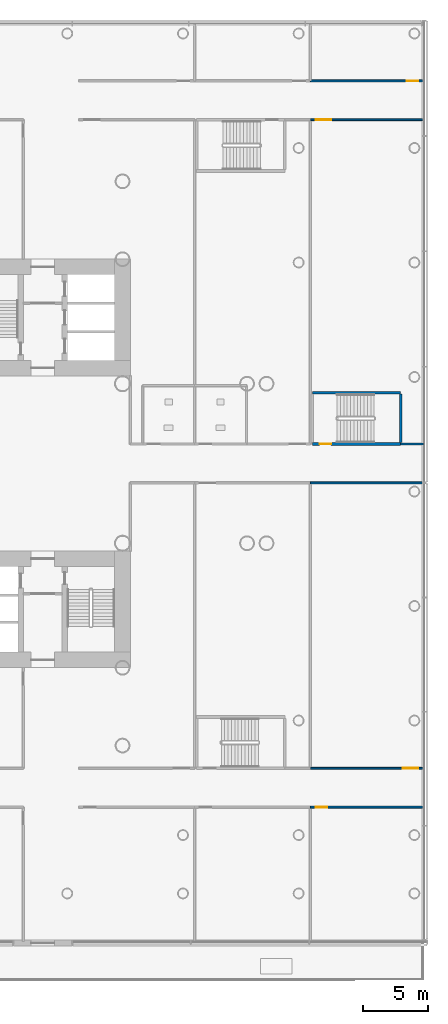
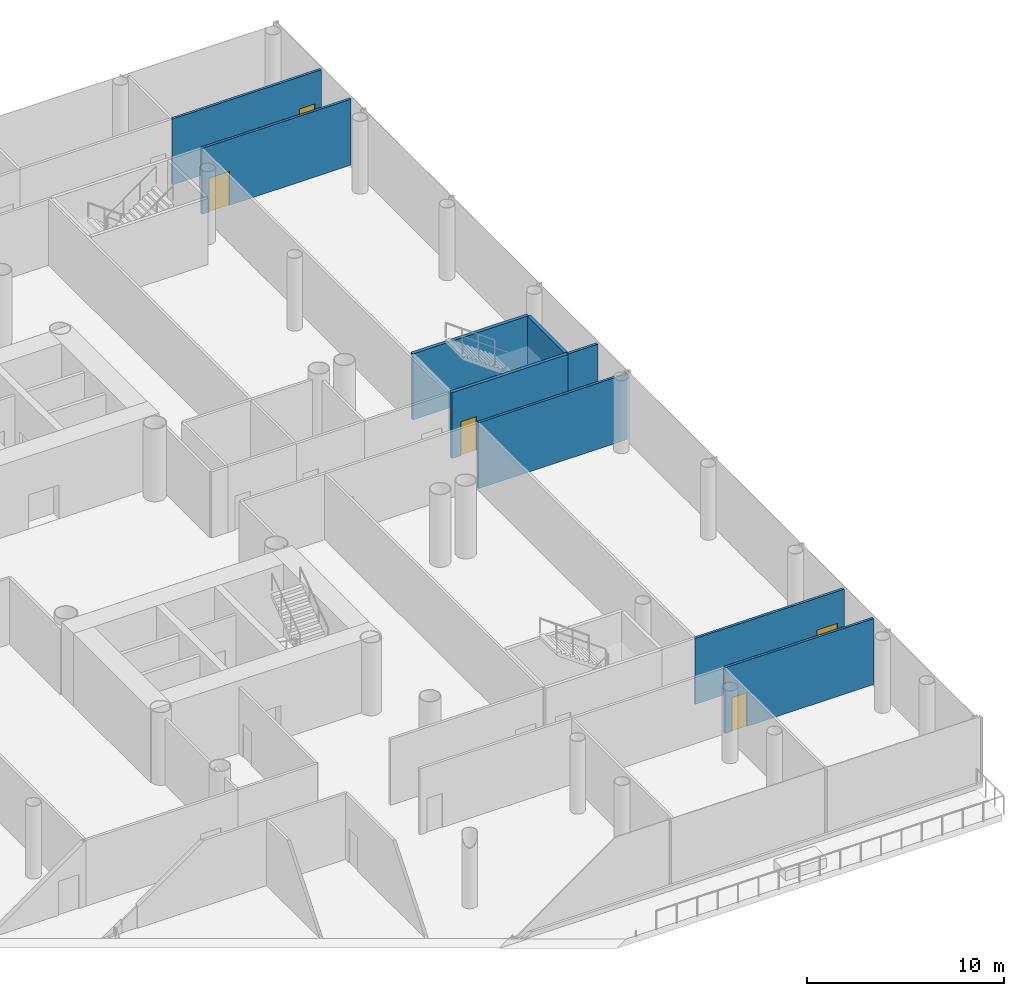
# One storey, part 25 of 49: 9 walls, 5 doors, 5 openings.
"""IFC4 building model written with IfcOpenShell, lengths in metres."""

from ifc_helpers import new_model, si_unit, direction, frame, frame_2d, origin, place, context, subcontext, project, spatial, rectangle, extrude, material, layer, layer_set, type_object, element, fill, save


model = new_model("IFC4")

# Units and contexts
model_context = context("Model", 3, precision=1e-05, world=origin(), true_north=direction((0.0, 1.0)))
body_context = subcontext(model_context, "Body", "Model", "MODEL_VIEW")
ifc_project = project(units=[si_unit("LENGTHUNIT", "METRE"), si_unit("AREAUNIT", "SQUARE_METRE"), si_unit("VOLUMEUNIT", "CUBIC_METRE"), si_unit("PLANEANGLEUNIT", "RADIAN"), si_unit("MASSUNIT", "GRAM", prefix="KILO")], contexts=[model_context])

# Site, building, storey
site_placement = place(None, origin())
site = spatial("IfcSite", under=ifc_project, at=site_placement, CompositionType="ELEMENT")
building_placement = place(site_placement, origin())
building = spatial("IfcBuilding", under=site, at=building_placement, Name="Ipe Terrace Towers", CompositionType="ELEMENT")
storey_placement = place(building_placement, frame((0.0, 0.0, 11.0)))
storey = spatial("IfcBuildingStorey", under=building, at=storey_placement, Name="L02", CompositionType="ELEMENT", Elevation=11.0)

# Wall, opening, door
ifc_material_1 = material(Name="Gypsum board partition", Category="plasterboard")
ifc_layer_1 = layer(ifc_material_1, 0.14990234375)
ifc_layer_set_1 = layer_set([ifc_layer_1], Name="Gypsum board partition 150 mm")
wall_type_1 = type_object("IfcWallType", Name="Gypsum board partition 150 mm", PredefinedType="PARTITIONING", material=ifc_layer_set_1)
wall_1_placement = place(storey_placement, frame((56.6298828125, -26.5, 0.0), z_axis=(0.0, 0.0, 1.0), x_axis=(1.0, 0.0, 0.0)))
wall_1 = element("IfcWall", 1, at=wall_1_placement, inside=storey, type_object=wall_type_1, Name="Gypsum board partition T2 L02 pd-r55-w69", PredefinedType="PARTITIONING", context=body_context, shape_type="SweptSolid", body=[
    extrude(rectangle(XDim=8.72021484375, YDim=0.14990234375, at=frame_2d((4.360107421875, 0.0))), origin(), (0.0, 0.0, 1.0), 4.080078125),
])
opening_1_placement = place(wall_1_placement, frame((0.39990234375, 0.0, 0.0)))
opening_1 = element("IfcOpeningElement", 2, at=opening_1_placement, cuts=wall_1, Name="Opening PD-L02-r55", PredefinedType="OPENING", context=body_context, shape_type="SweptSolid", body=[
    extrude(rectangle(XDim=0.89990234375, YDim=2.10009765625, at=frame_2d((0.449951171875, 1.050048828125))), frame((0.0, 0.0849609375, 0.0), z_axis=(0.0, -1.0, 0.0), x_axis=(1.0, 0.0, 0.0)), (0.0, 0.0, 1.0), 0.169921875),
])
ifc_material_2 = material(Name="Fire-rated timber door leaf", Category="wood")
door_type_1 = type_object("IfcDoorType", Name="Lounge door 900 x 2100 FD30S", OperationType="NOTDEFINED", PredefinedType="DOOR", material=ifc_material_2)
door_1_placement = place(opening_1_placement, origin())
door_1 = element("IfcDoor", 3, at=door_1_placement, inside=storey, type_object=door_type_1, Name="Lounge door PD-L02-r55", OperationType="SINGLE_SWING_RIGHT", OverallHeight=2.10009765625, OverallWidth=0.89990234375, PredefinedType="DOOR", context=body_context, shape_type="SweptSolid", body=[
    extrude(rectangle(XDim=0.89990234375, YDim=2.10009765625, at=frame_2d((0.449951171875, 1.050048828125))), frame((0.0, 0.02490234375, 0.0), z_axis=(0.0, -1.0, 0.0), x_axis=(1.0, 0.0, 0.0)), (0.0, 0.0, 1.0), 0.050048828125),
])
fill(opening_1, door_1)

wall_2_placement = place(storey_placement, frame((65.35009765625, -23.5, 0.0), z_axis=(0.0, 0.0, 1.0), x_axis=(-1.0, 0.0, 0.0)))
wall_2 = element("IfcWall", 4, at=wall_2_placement, inside=storey, type_object=wall_type_1, Name="Gypsum board partition T2 L02 pd-r56-w70", PredefinedType="PARTITIONING", context=body_context, shape_type="SweptSolid", body=[
    extrude(rectangle(XDim=8.72021484375, YDim=0.14990234375, at=frame_2d((4.360107421875, 0.0))), origin(), (0.0, 0.0, 1.0), 4.080078125),
])
opening_2_placement = place(wall_2_placement, frame((0.39990234375, 0.0, 0.0)))
opening_2 = element("IfcOpeningElement", 5, at=opening_2_placement, cuts=wall_2, Name="Opening PD-L02-r56", PredefinedType="OPENING", context=body_context, shape_type="SweptSolid", body=[
    extrude(rectangle(XDim=1.199951171875, YDim=2.10009765625, at=frame_2d((0.60009765625, 1.050048828125))), frame((0.0, 0.0849609375, 0.0), z_axis=(0.0, -1.0, 0.0), x_axis=(1.0, 0.0, 0.0)), (0.0, 0.0, 1.0), 0.169921875),
])
ifc_material_3 = material(Name="Fire-rated timber door leaf", Category="wood")
door_type_2 = type_object("IfcDoorType", Name="Lounge door 1200 x 2100 FD30S", OperationType="NOTDEFINED", PredefinedType="DOOR", material=ifc_material_3)
door_2_placement = place(opening_2_placement, origin())
door_2 = element("IfcDoor", 6, at=door_2_placement, inside=storey, type_object=door_type_2, Name="Lounge door PD-L02-r56", OperationType="SINGLE_SWING_RIGHT", OverallHeight=2.10009765625, OverallWidth=1.199951171875, PredefinedType="DOOR", context=body_context, shape_type="SweptSolid", body=[
    extrude(rectangle(XDim=1.199951171875, YDim=2.10009765625, at=frame_2d((0.60009765625, 1.050048828125))), frame((0.0, 0.02490234375, 0.0), z_axis=(0.0, -1.0, 0.0), x_axis=(1.0, 0.0, 0.0)), (0.0, 0.0, 1.0), 0.050048828125),
])
fill(opening_2, door_2)

# Wall
wall_3_placement = place(storey_placement, frame((56.6298828125, -1.5, 0.0), z_axis=(0.0, 0.0, 1.0), x_axis=(1.0, 0.0, 0.0)))
element("IfcWall", 7, at=wall_3_placement, inside=storey, type_object=wall_type_1, Name="Gypsum board partition T2 L02 pd-r56-w71", PredefinedType="PARTITIONING", context=body_context, shape_type="SweptSolid", body=[
    extrude(rectangle(XDim=8.72021484375, YDim=0.14990234375, at=frame_2d((4.360107421875, 0.0))), origin(), (0.0, 0.0, 1.0), 4.080078125),
])

# Wall, opening, door
wall_4_placement = place(storey_placement, frame((65.35009765625, 29.5, 0.0), z_axis=(0.0, 0.0, 1.0), x_axis=(-1.0, 0.0, 0.0)))
wall_4 = element("IfcWall", 8, at=wall_4_placement, inside=storey, type_object=wall_type_1, Name="Gypsum board partition T2 L02 pd-r57-w72", PredefinedType="PARTITIONING", context=body_context, shape_type="SweptSolid", body=[
    extrude(rectangle(XDim=8.72021484375, YDim=0.14990234375, at=frame_2d((4.360107421875, 0.0))), origin(), (0.0, 0.0, 1.0), 4.080078125),
])
opening_3_placement = place(wall_4_placement, frame((0.39990234375, 0.0, 0.0)))
opening_3 = element("IfcOpeningElement", 9, at=opening_3_placement, cuts=wall_4, Name="Opening PD-L02-r57", PredefinedType="OPENING", context=body_context, shape_type="SweptSolid", body=[
    extrude(rectangle(XDim=0.89990234375, YDim=2.10009765625, at=frame_2d((0.449951171875, 1.050048828125))), frame((0.0, 0.0849609375, 0.0), z_axis=(0.0, -1.0, 0.0), x_axis=(1.0, 0.0, 0.0)), (0.0, 0.0, 1.0), 0.169921875),
])
door_3_placement = place(opening_3_placement, origin())
door_3 = element("IfcDoor", 10, at=door_3_placement, inside=storey, type_object=door_type_1, Name="Lounge door PD-L02-r57", OperationType="SINGLE_SWING_RIGHT", OverallHeight=2.10009765625, OverallWidth=0.89990234375, PredefinedType="DOOR", context=body_context, shape_type="SweptSolid", body=[
    extrude(rectangle(XDim=0.89990234375, YDim=2.10009765625, at=frame_2d((0.449951171875, 1.050048828125))), frame((0.0, 0.02490234375, 0.0), z_axis=(0.0, -1.0, 0.0), x_axis=(1.0, 0.0, 0.0)), (0.0, 0.0, 1.0), 0.050048828125),
])
fill(opening_3, door_3)

wall_5_placement = place(storey_placement, frame((56.6298828125, 26.5, 0.0), z_axis=(0.0, 0.0, 1.0), x_axis=(1.0, 0.0, 0.0)))
wall_5 = element("IfcWall", 11, at=wall_5_placement, inside=storey, type_object=wall_type_1, Name="Gypsum board partition T2 L02 pd-r58-w73", PredefinedType="PARTITIONING", context=body_context, shape_type="SweptSolid", body=[
    extrude(rectangle(XDim=8.72021484375, YDim=0.14990234375, at=frame_2d((4.360107421875, 0.0))), origin(), (0.0, 0.0, 1.0), 4.080078125),
])
opening_4_placement = place(wall_5_placement, frame((0.39990234375, 0.0, 0.0)))
opening_4 = element("IfcOpeningElement", 12, at=opening_4_placement, cuts=wall_5, Name="Opening PD-L02-r58", PredefinedType="OPENING", context=body_context, shape_type="SweptSolid", body=[
    extrude(rectangle(XDim=1.199951171875, YDim=2.10009765625, at=frame_2d((0.60009765625, 1.050048828125))), frame((0.0, 0.0849609375, 0.0), z_axis=(0.0, -1.0, 0.0), x_axis=(1.0, 0.0, 0.0)), (0.0, 0.0, 1.0), 0.169921875),
])
door_4_placement = place(opening_4_placement, origin())
door_4 = element("IfcDoor", 13, at=door_4_placement, inside=storey, type_object=door_type_2, Name="Lounge door PD-L02-r58", OperationType="SINGLE_SWING_RIGHT", OverallHeight=2.10009765625, OverallWidth=1.199951171875, PredefinedType="DOOR", context=body_context, shape_type="SweptSolid", body=[
    extrude(rectangle(XDim=1.199951171875, YDim=2.10009765625, at=frame_2d((0.60009765625, 1.050048828125))), frame((0.0, 0.02490234375, 0.0), z_axis=(0.0, -1.0, 0.0), x_axis=(1.0, 0.0, 0.0)), (0.0, 0.0, 1.0), 0.050048828125),
])
fill(opening_4, door_4)

# Wall
wall_6_placement = place(storey_placement, frame((65.35009765625, 1.5, 0.0), z_axis=(0.0, 0.0, 1.0), x_axis=(-1.0, 0.0, 0.0)))
element("IfcWall", 14, at=wall_6_placement, inside=storey, type_object=wall_type_1, Name="Gypsum board partition T2 L02 pd-r58-w74", PredefinedType="PARTITIONING", context=body_context, shape_type="SweptSolid", body=[
    extrude(rectangle(XDim=1.760009765625, YDim=0.14990234375, at=frame_2d((0.8798828125, 0.0))), origin(), (0.0, 0.0, 1.0), 4.080078125),
])

# Wall, opening, door
ifc_material_4 = material(Name="Concrete C40/50", Category="concrete")
ifc_layer_2 = layer(ifc_material_4, 0.199951171875)
ifc_layer_set_2 = layer_set([ifc_layer_2], Name="RW200 PODIUM STAIR SHAFT WALL 200 C40-50")
wall_type_2 = type_object("IfcWallType", Name="RW200 PODIUM STAIR SHAFT WALL 200 C40-50", PredefinedType="SHEAR", material=ifc_layer_set_2)
wall_7_placement = place(storey_placement, frame((56.7900390625, 1.5, 0.0), z_axis=(0.0, 0.0, 1.0), x_axis=(1.0, 0.0, 0.0)))
wall_7 = element("IfcWall", 15, at=wall_7_placement, inside=storey, type_object=wall_type_2, Name="Stair shaft wall T2 L02 ps8-c", PredefinedType="SHEAR", context=body_context, shape_type="SweptSolid", body=[
    extrude(rectangle(XDim=6.800048828125, YDim=0.199951171875, at=frame_2d((3.39990234375, 0.0))), origin(), (0.0, 0.0, 1.0), 4.080078125),
])
opening_5_placement = place(wall_7_placement, frame((0.550048828125, 0.0, 0.0)))
opening_5 = element("IfcOpeningElement", 16, at=opening_5_placement, cuts=wall_7, Name="Opening PS8-SD", PredefinedType="OPENING", context=body_context, shape_type="SweptSolid", body=[
    extrude(rectangle(XDim=0.89990234375, YDim=2.10009765625, at=frame_2d((0.449951171875, 1.050048828125))), frame((0.0, 0.10986328125, 0.0), z_axis=(0.0, -1.0, 0.0), x_axis=(1.0, 0.0, 0.0)), (0.0, 0.0, 1.0), 0.219970703125),
])
ifc_material_5 = material(Name="Fire-rated timber door leaf", Category="wood")
door_type_3 = type_object("IfcDoorType", Name="Stair door 900 x 2100 FD60", OperationType="NOTDEFINED", PredefinedType="DOOR", material=ifc_material_5)
door_5_placement = place(opening_5_placement, origin())
door_5 = element("IfcDoor", 17, at=door_5_placement, inside=storey, type_object=door_type_3, Name="Stair door PS8-SD", OperationType="SINGLE_SWING_RIGHT", OverallHeight=2.10009765625, OverallWidth=0.89990234375, PredefinedType="DOOR", context=body_context, shape_type="SweptSolid", body=[
    extrude(rectangle(XDim=0.89990234375, YDim=2.10009765625, at=frame_2d((0.449951171875, 1.050048828125))), frame((0.0, 0.02490234375, 0.0), z_axis=(0.0, -1.0, 0.0), x_axis=(1.0, 0.0, 0.0)), (0.0, 0.0, 1.0), 0.050048828125),
])
fill(opening_5, door_5)

# Walls
wall_8_placement = place(storey_placement, frame((56.7900390625, 5.449951171875, 0.0), z_axis=(0.0, 0.0, 1.0), x_axis=(1.0, 0.0, 0.0)))
element("IfcWall", 18, at=wall_8_placement, inside=storey, type_object=wall_type_2, Name="Stair shaft wall T2 L02 ps8-f", PredefinedType="SHEAR", context=body_context, shape_type="SweptSolid", body=[
    extrude(rectangle(XDim=6.800048828125, YDim=0.199951171875, at=frame_2d((3.39990234375, 0.0))), origin(), (0.0, 0.0, 1.0), 4.080078125),
])
wall_9_placement = place(storey_placement, frame((63.590087890625, 1.60009765625, 0.0), z_axis=(0.0, 0.0, 1.0), x_axis=(0.0, 1.0, 0.0)))
element("IfcWall", 19, at=wall_9_placement, inside=storey, type_object=wall_type_2, Name="Stair shaft wall T2 L02 ps8-e", PredefinedType="SHEAR", context=body_context, shape_type="SweptSolid", body=[
    extrude(rectangle(XDim=3.75, YDim=0.199951171875, at=frame_2d((1.875, 0.0))), origin(), (0.0, 0.0, 1.0), 4.080078125),
])

save(model, "model.ifc")
